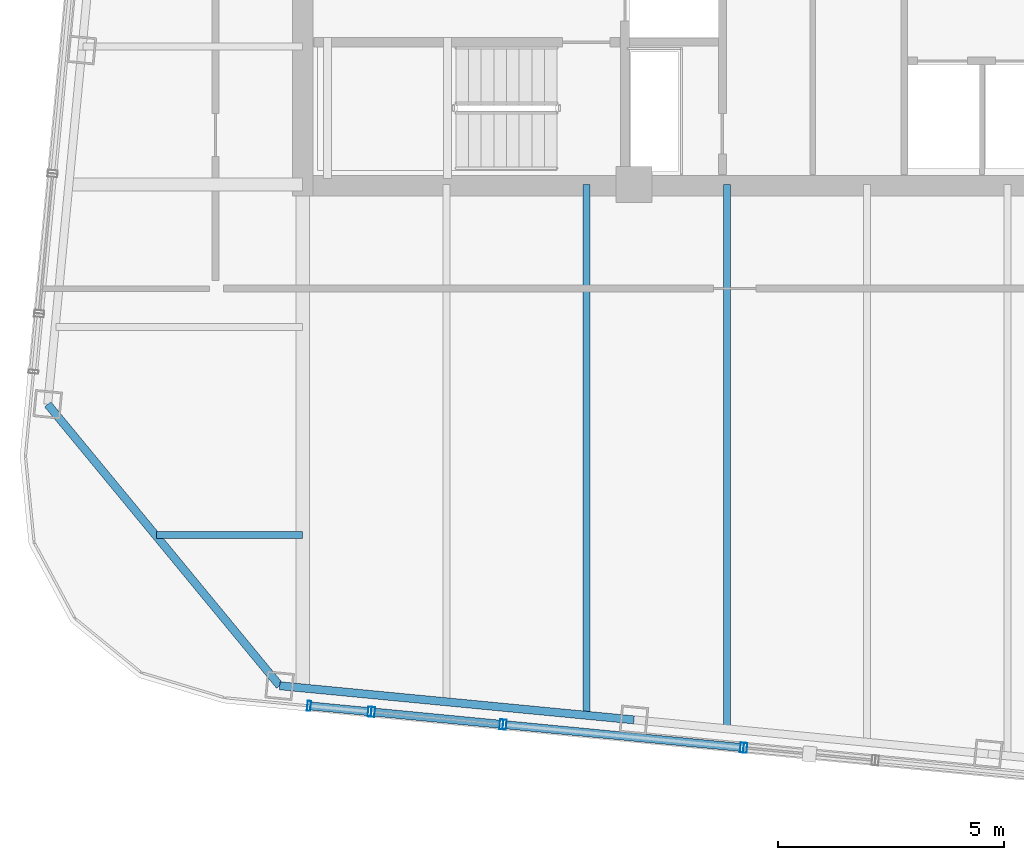
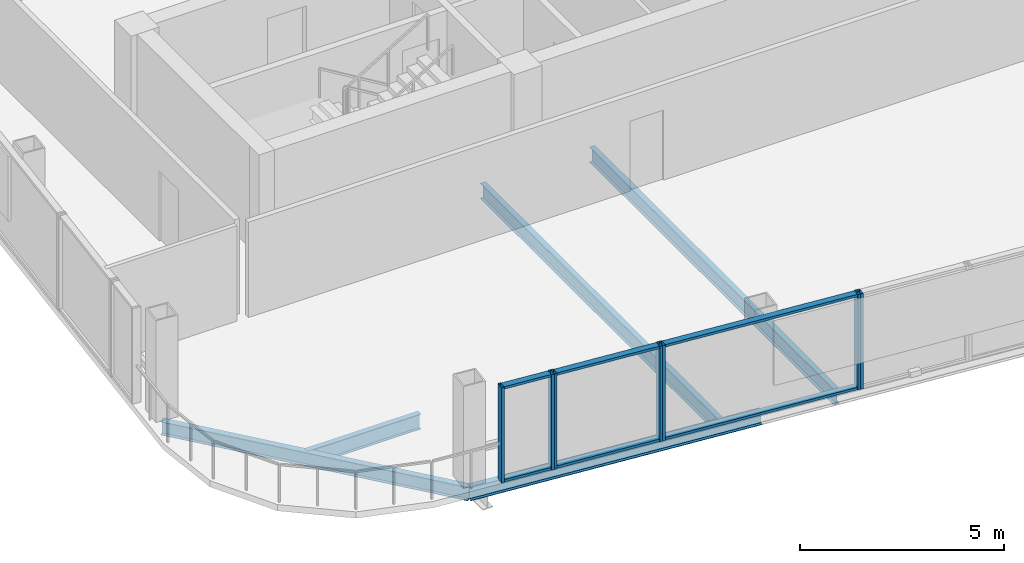
# One storey, part 2 of 26: 13 members, 5 beams, 4 elements without a shape of their own.
"""IFC4 building model written with IfcOpenShell, lengths in metres."""

from ifc_helpers import new_model, si_unit, direction, frame, origin, origin_2d, place, context, subcontext, project, spatial, hollow_rectangle, i_section, extrude, material, layer, layer_set, material_profile, profile_set, type_object, element, aggregate, save


model = new_model("IFC4")

# Units and contexts
model_context = context("Model", 3, precision=1e-05, world=origin(), true_north=direction((0.0, 1.0)))
body_context = subcontext(model_context, "Body", "Model", "MODEL_VIEW")
ifc_project = project(units=[si_unit("LENGTHUNIT", "METRE"), si_unit("AREAUNIT", "SQUARE_METRE"), si_unit("VOLUMEUNIT", "CUBIC_METRE"), si_unit("PLANEANGLEUNIT", "RADIAN"), si_unit("MASSUNIT", "GRAM", prefix="KILO")], contexts=[model_context])

# Site, building, storey
site_placement = place(None, origin())
site = spatial("IfcSite", under=ifc_project, at=site_placement, CompositionType="ELEMENT")
building_placement = place(site_placement, origin())
building = spatial("IfcBuilding", under=site, at=building_placement, Name="Qhalaya Broadcast Tower", CompositionType="ELEMENT")
storey_placement = place(building_placement, frame((0.0, 0.0, 248.949951171875)))
storey = spatial("IfcBuildingStorey", under=building, at=storey_placement, Name="L73", CompositionType="ELEMENT", Elevation=248.949951171875)

# Beams
ifc_material_1 = material(Name="Structural Steel ASTM A992 Grade 50", Category="steel")
ifc_material_profile_1 = material_profile(ifc_material_1, i_section(OverallWidth=0.154052734375, OverallDepth=0.458984375, WebThickness=0.009033203125, FlangeThickness=0.015380859375, at=origin_2d()), Name="W18X46")
ifc_profile_set_1 = profile_set([ifc_material_profile_1], Name="Structural Steel ASTM A992 Grade 50")
beam_type_1 = type_object("IfcBeamType", Name="Composite Floor Joist J04", PredefinedType="JOIST", material=ifc_profile_set_1)
beam_1_placement = place(storey_placement, frame((-3.10009765625, -20.46142578125, -0.41943359375), z_axis=(0.0, 1.0, 0.0), x_axis=(-1.0, 0.0, 0.0)))
element("IfcBeam", 1, at=beam_1_placement, inside=storey, type_object=beam_type_1, Name="L73 J04 L73-JNS2-1", PredefinedType="JOIST", context=body_context, shape_type="SweptSolid", body=[
    extrude(i_section(OverallWidth=0.154052734375, OverallDepth=0.458984375, WebThickness=0.009033203125, FlangeThickness=0.015380859375, at=origin_2d()), origin(), (0.0, 0.0, 1.0), 11.71142578125),
])
beam_2_placement = place(storey_placement, frame((0.0, -20.760009765625, -0.41943359375), z_axis=(0.0, 1.0, 0.0), x_axis=(-1.0, 0.0, 0.0)))
element("IfcBeam", 2, at=beam_2_placement, inside=storey, type_object=beam_type_1, Name="L73 J04 L73-JNS3-1", PredefinedType="JOIST", context=body_context, shape_type="SweptSolid", body=[
    extrude(i_section(OverallWidth=0.154052734375, OverallDepth=0.458984375, WebThickness=0.009033203125, FlangeThickness=0.015380859375, at=origin_2d()), origin(), (0.0, 0.0, 1.0), 12.010009765625),
])
beam_3_placement = place(storey_placement, frame((-12.600830078125, -16.5, -0.41943359375), z_axis=(1.0, 0.0, 0.0), x_axis=(0.0, 1.0, 0.0)))
element("IfcBeam", 3, at=beam_3_placement, inside=storey, type_object=beam_type_1, Name="L73 J04 L73-JWE1W-1", PredefinedType="JOIST", context=body_context, shape_type="SweptSolid", body=[
    extrude(i_section(OverallWidth=0.154052734375, OverallDepth=0.458984375, WebThickness=0.009033203125, FlangeThickness=0.015380859375, at=origin_2d()), origin(), (0.0, 0.0, 1.0), 3.225830078125),
])

# Curtain wall, members
ifc_material_2 = material(Name="Fired Architectural Terracotta", Category="masonry")
ifc_layer_1 = layer(ifc_material_2, 0.219970703125, Name="Fired Architectural Terracotta")
ifc_layer_set_1 = layer_set([ifc_layer_1], Name="Fired Architectural Terracotta")
curtain_wall_type_1 = type_object("IfcCurtainWallType", Name="Block-Cap Unitised Terracotta Spandrel Wall CW-07", PredefinedType="NOTDEFINED", material=ifc_layer_set_1)
curtain_wall_1_placement = place(storey_placement, origin())
curtain_wall_1 = element("IfcCurtainWall", 4, at=curtain_wall_1_placement, inside=storey, type_object=curtain_wall_type_1, Name="L73 Unitised Curtain Wall L73-CW-S1", PredefinedType="NOTDEFINED")
ifc_material_3 = material(Name="Anodised Aluminium 6063-T6", Category="aluminium")
ifc_material_profile_2 = material_profile(ifc_material_3, hollow_rectangle(XDim=0.074951171875, YDim=0.219970703125, WallThickness=0.00390625, at=origin_2d()), Name="ALU-MUL 75x220x4")
ifc_profile_set_2 = profile_set([ifc_material_profile_2], Name="Anodised Aluminium 6063-T6")
member_type_1 = type_object("IfcMemberType", Name="Unitised Curtain-Wall Mullion M01", PredefinedType="MULLION", material=ifc_profile_set_2)
member_1_placement = place(storey_placement, frame((-9.235107421875, -20.272705078125, 0.0), z_axis=(0.0, 0.0, 1.0), x_axis=(0.995396007008, -0.095847739846, 0.0)))
member_1 = element("IfcMember", 5, at=member_1_placement, type_object=member_type_1, Name="CW-07 mullion 1", PredefinedType="MULLION", context=body_context, shape_type="SweptSolid", body=[
    extrude(hollow_rectangle(XDim=0.074951171875, YDim=0.219970703125, WallThickness=0.00390625, at=origin_2d()), origin(), (0.0, 0.0, 1.0), 2.860107421875),
])
member_2_placement = place(storey_placement, frame((-7.894287109375, -20.401611328125, 0.0), z_axis=(0.0, 0.0, 1.0), x_axis=(0.995396007008, -0.095847739846, 0.0)))
member_2 = element("IfcMember", 6, at=member_2_placement, type_object=member_type_1, Name="CW-07 mullion 2", PredefinedType="MULLION", context=body_context, shape_type="SweptSolid", body=[
    extrude(hollow_rectangle(XDim=0.074951171875, YDim=0.219970703125, WallThickness=0.00390625, at=origin_2d()), origin(), (0.0, 0.0, 1.0), 2.860107421875),
])

ifc_material_4 = material(Name="Solar-Control Low-E Triple Glazing", Category="glass")
ifc_layer_2 = layer(ifc_material_4, 0.219970703125, Name="Solar-Control Low-E Triple Glazing")
ifc_layer_set_2 = layer_set([ifc_layer_2], Name="Solar-Control Low-E Triple Glazing")
curtain_wall_type_2 = type_object("IfcCurtainWallType", Name="High-Altitude Upper-Shaft Triple Low-E Curtain Wall CW-04", PredefinedType="NOTDEFINED", material=ifc_layer_set_2)
curtain_wall_2_placement = place(storey_placement, origin())
curtain_wall_2 = element("IfcCurtainWall", 7, at=curtain_wall_2_placement, inside=storey, type_object=curtain_wall_type_2, Name="L73 Unitised Curtain Wall L73-CW-S2", PredefinedType="NOTDEFINED")
member_3_placement = place(storey_placement, frame((-7.819580078125, -20.408935546875, 0.0), z_axis=(0.0, 0.0, 1.0), x_axis=(0.99539466371, -0.095861689211, 0.0)))
member_3 = element("IfcMember", 8, at=member_3_placement, type_object=member_type_1, Name="CW-04 mullion 1", PredefinedType="MULLION", context=body_context, shape_type="SweptSolid", body=[
    extrude(hollow_rectangle(XDim=0.074951171875, YDim=0.219970703125, WallThickness=0.00390625, at=origin_2d()), origin(), (0.0, 0.0, 1.0), 2.860107421875),
])
member_4_placement = place(storey_placement, frame((-4.984619140625, -20.681884765625, 0.0), z_axis=(0.0, 0.0, 1.0), x_axis=(0.99539466371, -0.095861689211, 0.0)))
member_4 = element("IfcMember", 9, at=member_4_placement, type_object=member_type_1, Name="CW-04 mullion 2", PredefinedType="MULLION", context=body_context, shape_type="SweptSolid", body=[
    extrude(hollow_rectangle(XDim=0.074951171875, YDim=0.219970703125, WallThickness=0.00390625, at=origin_2d()), origin(), (0.0, 0.0, 1.0), 2.860107421875),
])

curtain_wall_3_placement = place(storey_placement, origin())
curtain_wall_3 = element("IfcCurtainWall", 10, at=curtain_wall_3_placement, inside=storey, type_object=curtain_wall_type_1, Name="L73 Unitised Curtain Wall L73-CW-S3", PredefinedType="NOTDEFINED")
member_5_placement = place(storey_placement, frame((-4.91015625, -20.689208984375, 0.0), z_axis=(0.0, 0.0, 1.0), x_axis=(0.995396263968, -0.095845071223, 0.0)))
member_5 = element("IfcMember", 11, at=member_5_placement, type_object=member_type_1, Name="CW-07 mullion 1", PredefinedType="MULLION", context=body_context, shape_type="SweptSolid", body=[
    extrude(hollow_rectangle(XDim=0.074951171875, YDim=0.219970703125, WallThickness=0.00390625, at=origin_2d()), origin(), (0.0, 0.0, 1.0), 2.860107421875),
])
member_6_placement = place(storey_placement, frame((0.333740234375, -21.194091796875, 0.0), z_axis=(0.0, 0.0, 1.0), x_axis=(0.995396263968, -0.095845071223, 0.0)))
member_6 = element("IfcMember", 12, at=member_6_placement, type_object=member_type_1, Name="CW-07 mullion 2", PredefinedType="MULLION", context=body_context, shape_type="SweptSolid", body=[
    extrude(hollow_rectangle(XDim=0.074951171875, YDim=0.219970703125, WallThickness=0.00390625, at=origin_2d()), origin(), (0.0, 0.0, 1.0), 2.860107421875),
])

# Curtain wall, member
curtain_wall_4_placement = place(storey_placement, origin())
curtain_wall_4 = element("IfcCurtainWall", 13, at=curtain_wall_4_placement, inside=storey, type_object=curtain_wall_type_2, Name="L73 Unitised Curtain Wall L73-CW-S4", PredefinedType="NOTDEFINED")
member_7_placement = place(storey_placement, frame((0.408447265625, -21.201171875, 0.0), z_axis=(0.0, 0.0, 1.0), x_axis=(0.995397805992, -0.095829055234, 0.0)))
member_7 = element("IfcMember", 14, at=member_7_placement, type_object=member_type_1, Name="CW-04 mullion 1", PredefinedType="MULLION", context=body_context, shape_type="SweptSolid", body=[
    extrude(hollow_rectangle(XDim=0.074951171875, YDim=0.219970703125, WallThickness=0.00390625, at=origin_2d()), origin(), (0.0, 0.0, 1.0), 2.860107421875),
])
aggregate(curtain_wall_4, [member_7])

# Member
ifc_material_profile_3 = material_profile(ifc_material_3, hollow_rectangle(XDim=0.074951171875, YDim=0.179931640625, WallThickness=0.00390625, at=origin_2d()), Name="ALU-TRN 75x180x4")
ifc_profile_set_3 = profile_set([ifc_material_profile_3], Name="Anodised Aluminium 6063-T6")
member_type_2 = type_object("IfcMemberType", Name="Unitised Curtain-Wall Transom T01", PredefinedType="USERDEFINED", material=ifc_profile_set_3)
member_8_placement = place(storey_placement, frame((-9.19775390625, -20.276123046875, 0.03759765625), z_axis=(0.995384379876, -0.095968413023, 0.0), x_axis=(0.0, 0.0, 1.0)))
member_8 = element("IfcMember", 15, at=member_8_placement, type_object=member_type_2, Name="CW-07 transom 1.1", ObjectType="TRANSOM", PredefinedType="USERDEFINED", context=body_context, shape_type="SweptSolid", body=[
    extrude(hollow_rectangle(XDim=0.074951171875, YDim=0.179931640625, WallThickness=0.00390625, at=origin_2d()), origin(), (0.0, 0.0, 1.0), 1.27197265625),
])

member_9_placement = place(storey_placement, frame((-9.19775390625, -20.276123046875, 2.822509765625), z_axis=(0.995384379876, -0.095968413023, 0.0), x_axis=(0.0, 0.0, 1.0)))
member_9 = element("IfcMember", 16, at=member_9_placement, type_object=member_type_2, Name="CW-07 transom 1.2", ObjectType="TRANSOM", PredefinedType="USERDEFINED", context=body_context, shape_type="SweptSolid", body=[
    extrude(hollow_rectangle(XDim=0.074951171875, YDim=0.179931640625, WallThickness=0.00390625, at=origin_2d()), origin(), (0.0, 0.0, 1.0), 1.27197265625),
])

aggregate(curtain_wall_1, [member_1, member_2, member_8, member_9])

member_10_placement = place(storey_placement, frame((-7.7822265625, -20.41259765625, 0.03759765625), z_axis=(0.995401605942, -0.095789576089, 0.0), x_axis=(0.0, 0.0, 1.0)))
member_10 = element("IfcMember", 17, at=member_10_placement, type_object=member_type_2, Name="CW-04 transom 1.1", ObjectType="TRANSOM", PredefinedType="USERDEFINED", context=body_context, shape_type="SweptSolid", body=[
    extrude(hollow_rectangle(XDim=0.074951171875, YDim=0.179931640625, WallThickness=0.00390625, at=origin_2d()), origin(), (0.0, 0.0, 1.0), 2.77294921875),
])

member_11_placement = place(storey_placement, frame((-7.7822265625, -20.41259765625, 2.822509765625), z_axis=(0.995401605942, -0.095789576089, 0.0), x_axis=(0.0, 0.0, 1.0)))
member_11 = element("IfcMember", 18, at=member_11_placement, type_object=member_type_2, Name="CW-04 transom 1.2", ObjectType="TRANSOM", PredefinedType="USERDEFINED", context=body_context, shape_type="SweptSolid", body=[
    extrude(hollow_rectangle(XDim=0.074951171875, YDim=0.179931640625, WallThickness=0.00390625, at=origin_2d()), origin(), (0.0, 0.0, 1.0), 2.77294921875),
])

aggregate(curtain_wall_2, [member_3, member_4, member_10, member_11])

member_12_placement = place(storey_placement, frame((-4.872802734375, -20.692626953125, 0.03759765625), z_axis=(0.99539497839, -0.095858421619, 0.0), x_axis=(0.0, 0.0, 1.0)))
member_12 = element("IfcMember", 19, at=member_12_placement, type_object=member_type_2, Name="CW-07 transom 1.1", ObjectType="TRANSOM", PredefinedType="USERDEFINED", context=body_context, shape_type="SweptSolid", body=[
    extrude(hollow_rectangle(XDim=0.074951171875, YDim=0.179931640625, WallThickness=0.00390625, at=origin_2d()), origin(), (0.0, 0.0, 1.0), 5.193115234375),
])

member_13_placement = place(storey_placement, frame((-4.872802734375, -20.692626953125, 2.822509765625), z_axis=(0.99539497839, -0.095858421619, 0.0), x_axis=(0.0, 0.0, 1.0)))
member_13 = element("IfcMember", 20, at=member_13_placement, type_object=member_type_2, Name="CW-07 transom 1.2", ObjectType="TRANSOM", PredefinedType="USERDEFINED", context=body_context, shape_type="SweptSolid", body=[
    extrude(hollow_rectangle(XDim=0.074951171875, YDim=0.179931640625, WallThickness=0.00390625, at=origin_2d()), origin(), (0.0, 0.0, 1.0), 5.193115234375),
])

aggregate(curtain_wall_3, [member_5, member_6, member_12, member_13])

# Beams
ifc_material_profile_4 = material_profile(ifc_material_1, i_section(OverallWidth=0.177978515625, OverallDepth=0.406005859375, WebThickness=0.0078125, FlangeThickness=0.0126953125, at=origin_2d()), Name="W16X40")
ifc_profile_set_4 = profile_set([ifc_material_profile_4], Name="Structural Steel ASTM A992 Grade 50")
beam_type_2 = type_object("IfcBeamType", Name="Upper Perimeter Spandrel Beam SP2", PredefinedType="SPANDREL", material=ifc_profile_set_4)
beam_4_placement = place(storey_placement, frame((-9.883056640625, -19.82861328125, -0.39306640625), z_axis=(0.995397308407, -0.095834223619, 0.0), x_axis=(0.095834223619, 0.995397308407, 0.0)))
element("IfcBeam", 21, at=beam_4_placement, inside=storey, type_object=beam_type_2, Name="L73 SP2 L73-SPR-01", PredefinedType="SPANDREL", context=body_context, shape_type="SweptSolid", body=[
    extrude(i_section(OverallWidth=0.177978515625, OverallDepth=0.406005859375, WebThickness=0.0078125, FlangeThickness=0.0126953125, at=origin_2d()), origin(), (0.0, 0.0, 1.0), 7.86669921875),
])
beam_5_placement = place(storey_placement, frame((-15.010498046875, -13.6083984375, -0.39306640625), z_axis=(0.636070241972, -0.771631160126, 0.0), x_axis=(0.771631160126, 0.636070241972, 0.0)))
element("IfcBeam", 22, at=beam_5_placement, inside=storey, type_object=beam_type_2, Name="L73 SP2 L73-SPR-16", PredefinedType="SPANDREL", context=body_context, shape_type="SweptSolid", body=[
    extrude(i_section(OverallWidth=0.177978515625, OverallDepth=0.406005859375, WebThickness=0.0078125, FlangeThickness=0.0126953125, at=origin_2d()), origin(), (0.0, 0.0, 1.0), 8.06103515625),
])

save(model, "model.ifc")
